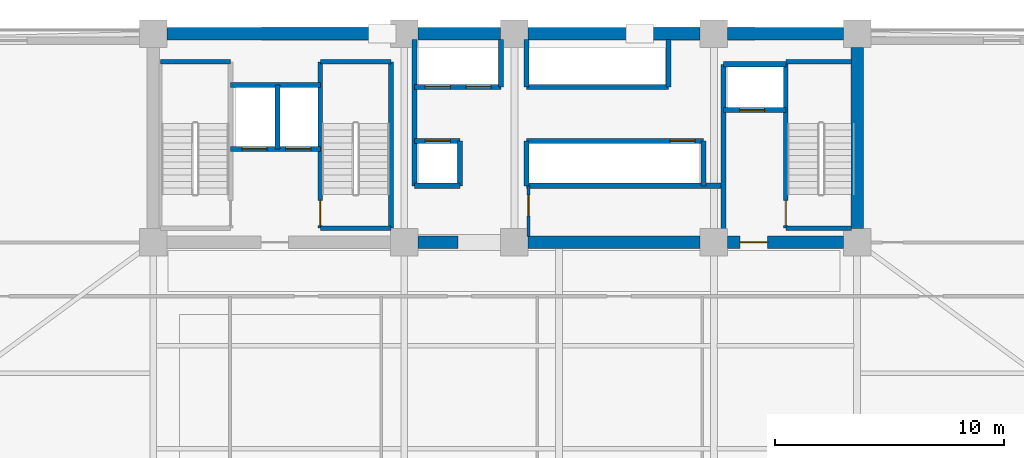
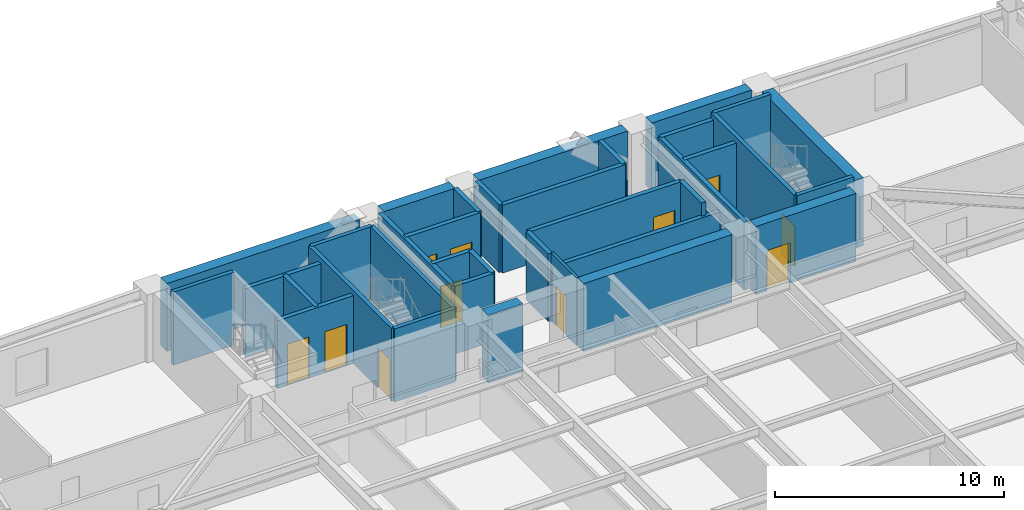
# One storey, part 9 of 16: 36 walls, 11 doors, 11 openings.
"""IFC4 building model written with IfcOpenShell, lengths in metres."""

from ifc_helpers import new_model, si_unit, direction, frame, frame_2d, origin, place, context, subcontext, project, spatial, rectangle, extrude, source, transform, mapped, material, layer, layer_set, type_object, element, fill, save


model = new_model("IFC4")

# Units and contexts
model_context = context("Model", 3, precision=1e-05, world=origin(), true_north=direction((0.0, 1.0)))
body_context = subcontext(model_context, "Body", "Model", "MODEL_VIEW")
ifc_project = project(units=[si_unit("LENGTHUNIT", "METRE"), si_unit("AREAUNIT", "SQUARE_METRE"), si_unit("VOLUMEUNIT", "CUBIC_METRE"), si_unit("PLANEANGLEUNIT", "RADIAN"), si_unit("MASSUNIT", "GRAM", prefix="KILO")], contexts=[model_context])

# Site, building, storey
site_placement = place(None, origin())
site = spatial("IfcSite", under=ifc_project, at=site_placement, CompositionType="ELEMENT")
building_placement = place(site_placement, origin())
building = spatial("IfcBuilding", under=site, at=building_placement, Name="Giltprow Tower", CompositionType="ELEMENT")
storey_placement = place(building_placement, frame((0.0, 0.0, 91.300048828125)))
storey = spatial("IfcBuildingStorey", under=building, at=storey_placement, Name="L22", CompositionType="ELEMENT", Elevation=91.300048828125)

# Wall, openings, doors
ifc_material_1 = material(Name="Concrete C40", Category="concrete")
ifc_layer_1 = layer(ifc_material_1, 0.219970703125, Name="Concrete C40")
ifc_layer_set_1 = layer_set([ifc_layer_1], Name="Concrete C40")
wall_type_1 = type_object("IfcWallType", Name="IW-SHAFT-220", PredefinedType="SOLIDWALL", material=ifc_layer_set_1)
wall_1_placement = place(storey_placement, frame((23.219970703125, 41.52001953125, 0.0), z_axis=(0.0, 0.0, 1.0), x_axis=(1.0, 0.0, 0.0)))
wall_1 = element("IfcWall", 1, at=wall_1_placement, inside=storey, type_object=wall_type_1, Name="L22 FFL1 and Service Lift Front Wall", PredefinedType="SOLIDWALL", context=body_context, shape_type="SweptSolid", body=[
    extrude(rectangle(XDim=3.919921875, YDim=0.219970703125, at=frame_2d((1.9599609375, 0.0))), origin(), (0.0, 0.0, 1.0), 3.619873046875),
])
opening_1_placement = place(wall_1_placement, frame((0.5, 0.0, 0.0)))
opening_1 = element("IfcOpeningElement", 2, at=opening_1_placement, cuts=wall_1, Name="Opening LD-11", PredefinedType="OPENING", context=body_context, shape_type="SweptSolid", body=[
    extrude(rectangle(XDim=1.10009765625, YDim=2.199951171875, at=frame_2d((0.550048828125, 1.10009765625))), frame((0.0, 0.119873046875, 0.0), z_axis=(0.0, -1.0, 0.0), x_axis=(1.0, 0.0, 0.0)), (0.0, 0.0, 1.0), 0.239990234375),
])
opening_2_placement = place(wall_1_placement, frame((2.39990234375, 0.0, 0.0)))
opening_2 = element("IfcOpeningElement", 3, at=opening_2_placement, cuts=wall_1, Name="Opening LD-11", PredefinedType="OPENING", context=body_context, shape_type="SweptSolid", body=[
    extrude(rectangle(XDim=1.10009765625, YDim=2.199951171875, at=frame_2d((0.550048828125, 1.10009765625))), frame((0.0, 0.119873046875, 0.0), z_axis=(0.0, -1.0, 0.0), x_axis=(1.0, 0.0, 0.0)), (0.0, 0.0, 1.0), 0.239990234375),
])
ifc_material_2 = material(Name="Stainless steel", Category="steel")
door_type_1 = type_object("IfcDoorType", Name="DR-LIFT-LD1100", OperationType="SLIDING_TO_LEFT", PredefinedType="DOOR", material=ifc_material_2)
shared_shape_1 = source(origin(), body_context, "Body", "SweptSolid", [
    extrude(rectangle(XDim=1.10009765625, YDim=2.199951171875, at=frame_2d((0.550048828125, 1.10009765625))), frame((0.0, 0.02490234375, 0.0), z_axis=(0.0, -1.0, 0.0), x_axis=(1.0, 0.0, 0.0)), (0.0, 0.0, 1.0), 0.050048828125),
])
door_1_placement = place(opening_1_placement, origin())
door_1 = element("IfcDoor", 4, at=door_1_placement, inside=storey, type_object=door_type_1, Name="L22 FFL1 Landing Door", OperationType="SLIDING_TO_LEFT", OverallHeight=2.199951171875, OverallWidth=1.10009765625, PredefinedType="DOOR", context=body_context, shape_type="MappedRepresentation", body=[
    mapped(shared_shape_1, transform((0.0, 0.0, 0.0), x_axis=(1.0, 0.0, 0.0), y_axis=(0.0, 1.0, 0.0), z_axis=(0.0, 0.0, 1.0), scale=1.0)),
])
fill(opening_1, door_1)
door_2_placement = place(opening_2_placement, origin())
door_2 = element("IfcDoor", 5, at=door_2_placement, inside=storey, type_object=door_type_1, Name="L22 SVL1 Landing Door", OperationType="SLIDING_TO_LEFT", OverallHeight=2.199951171875, OverallWidth=1.10009765625, PredefinedType="DOOR", context=body_context, shape_type="MappedRepresentation", body=[
    mapped(shared_shape_1, transform((0.0, 0.0, 0.0), x_axis=(1.0, 0.0, 0.0), y_axis=(0.0, 1.0, 0.0), z_axis=(0.0, 0.0, 1.0), scale=1.0)),
])
fill(opening_2, door_2)

# Walls
wall_2_placement = place(storey_placement, frame((25.260009765625, 41.52001953125, 0.0), z_axis=(0.0, 0.0, 1.0), x_axis=(0.0, 1.0, 0.0)))
element("IfcWall", 6, at=wall_2_placement, inside=storey, type_object=wall_type_1, Name="L22 FFL1-SVL1 Shaft Divider", PredefinedType="SOLIDWALL", context=body_context, shape_type="SweptSolid", body=[
    extrude(rectangle(XDim=2.800048828125, YDim=0.219970703125, at=frame_2d((1.39990234375, 0.0))), origin(), (0.0, 0.0, 1.0), 3.619873046875),
])
wall_3_placement = place(storey_placement, frame((23.219970703125, 44.320068359375, 0.0), z_axis=(0.0, 0.0, 1.0), x_axis=(1.0, 0.0, 0.0)))
element("IfcWall", 7, at=wall_3_placement, inside=storey, type_object=wall_type_1, Name="L22 FFL1-SVL1 Back Shaft Wall", PredefinedType="SOLIDWALL", context=body_context, shape_type="SweptSolid", body=[
    extrude(rectangle(XDim=3.919921875, YDim=0.219970703125, at=frame_2d((1.9599609375, 0.0))), origin(), (0.0, 0.0, 1.0), 3.619873046875),
])

# Wall, opening, door
wall_4_placement = place(storey_placement, frame((44.719970703125, 43.219970703125, 0.0), z_axis=(0.0, 0.0, 1.0), x_axis=(1.0, 0.0, 0.0)))
wall_4 = element("IfcWall", 8, at=wall_4_placement, inside=storey, type_object=wall_type_1, Name="L22 FFL2 Front Shaft Wall", PredefinedType="SOLIDWALL", context=body_context, shape_type="SweptSolid", body=[
    extrude(rectangle(XDim=2.719970703125, YDim=0.219970703125, at=frame_2d((1.35986328125, 0.0))), origin(), (0.0, 0.0, 1.0), 3.619873046875),
])
opening_3_placement = place(wall_4_placement, frame((0.699951171875, 0.0, 0.0)))
opening_3 = element("IfcOpeningElement", 9, at=opening_3_placement, cuts=wall_4, Name="Opening LD-11", PredefinedType="OPENING", context=body_context, shape_type="SweptSolid", body=[
    extrude(rectangle(XDim=1.10009765625, YDim=2.199951171875, at=frame_2d((0.550048828125, 1.10009765625))), frame((0.0, 0.119873046875, 0.0), z_axis=(0.0, -1.0, 0.0), x_axis=(1.0, 0.0, 0.0)), (0.0, 0.0, 1.0), 0.239990234375),
])
door_3_placement = place(opening_3_placement, origin())
door_3 = element("IfcDoor", 10, at=door_3_placement, inside=storey, type_object=door_type_1, Name="L22 FFL2 Landing Door", OperationType="SLIDING_TO_LEFT", OverallHeight=2.199951171875, OverallWidth=1.10009765625, PredefinedType="DOOR", context=body_context, shape_type="MappedRepresentation", body=[
    mapped(shared_shape_1, transform((0.0, 0.0, 0.0), x_axis=(1.0, 0.0, 0.0), y_axis=(0.0, 1.0, 0.0), z_axis=(0.0, 0.0, 1.0), scale=1.0)),
])
fill(opening_3, door_3)

# Walls
wall_5_placement = place(storey_placement, frame((44.719970703125, 45.219970703125, 0.0), z_axis=(0.0, 0.0, 1.0), x_axis=(1.0, 0.0, 0.0)))
element("IfcWall", 11, at=wall_5_placement, inside=storey, type_object=wall_type_1, Name="L22 FFL2 Back Shaft Wall", PredefinedType="SOLIDWALL", context=body_context, shape_type="SweptSolid", body=[
    extrude(rectangle(XDim=2.719970703125, YDim=0.219970703125, at=frame_2d((1.35986328125, 0.0))), origin(), (0.0, 0.0, 1.0), 3.619873046875),
])
wall_6_placement = place(storey_placement, frame((44.719970703125, 37.705078125, 0.0), z_axis=(0.0, 0.0, 1.0), x_axis=(0.0, 1.0, 0.0)))
element("IfcWall", 12, at=wall_6_placement, inside=storey, type_object=wall_type_1, Name="L22 East Firefighting Lobby West Wall", PredefinedType="SOLIDWALL", context=body_context, shape_type="SweptSolid", body=[
    extrude(rectangle(XDim=7.514892578125, YDim=0.219970703125, at=frame_2d((3.75732421875, 0.0))), origin(), (0.0, 0.0, 1.0), 3.619873046875),
])

# Wall, openings, doors
wall_7_placement = place(storey_placement, frame((31.25, 44.219970703125, 0.0), z_axis=(0.0, 0.0, 1.0), x_axis=(1.0, 0.0, 0.0)))
wall_7 = element("IfcWall", 13, at=wall_7_placement, inside=storey, type_object=wall_type_1, Name="L22 North West Lift Shaft Front Wall", PredefinedType="SOLIDWALL", context=body_context, shape_type="SweptSolid", body=[
    extrude(rectangle(XDim=3.77001953125, YDim=0.219970703125, at=frame_2d((1.885009765625, 0.0))), origin(), (0.0, 0.0, 1.0), 3.619873046875),
])
opening_4_placement = place(wall_7_placement, frame((0.4599609375, 0.0, 0.0)))
opening_4 = element("IfcOpeningElement", 14, at=opening_4_placement, cuts=wall_7, Name="Opening LD-11", PredefinedType="OPENING", context=body_context, shape_type="SweptSolid", body=[
    extrude(rectangle(XDim=1.10009765625, YDim=2.199951171875, at=frame_2d((0.550048828125, 1.10009765625))), frame((0.0, 0.119873046875, 0.0), z_axis=(0.0, -1.0, 0.0), x_axis=(1.0, 0.0, 0.0)), (0.0, 0.0, 1.0), 0.239990234375),
])
opening_5_placement = place(wall_7_placement, frame((2.239990234375, 0.0, 0.0)))
opening_5 = element("IfcOpeningElement", 15, at=opening_5_placement, cuts=wall_7, Name="Opening LD-11", PredefinedType="OPENING", context=body_context, shape_type="SweptSolid", body=[
    extrude(rectangle(XDim=1.10009765625, YDim=2.199951171875, at=frame_2d((0.550048828125, 1.10009765625))), frame((0.0, 0.119873046875, 0.0), z_axis=(0.0, -1.0, 0.0), x_axis=(1.0, 0.0, 0.0)), (0.0, 0.0, 1.0), 0.239990234375),
])
door_4_placement = place(opening_4_placement, origin())
door_4 = element("IfcDoor", 16, at=door_4_placement, inside=storey, type_object=door_type_1, Name="L22 PL-L1 Landing Door", OperationType="SLIDING_TO_LEFT", OverallHeight=2.199951171875, OverallWidth=1.10009765625, PredefinedType="DOOR", context=body_context, shape_type="MappedRepresentation", body=[
    mapped(shared_shape_1, transform((0.0, 0.0, 0.0), x_axis=(1.0, 0.0, 0.0), y_axis=(0.0, 1.0, 0.0), z_axis=(0.0, 0.0, 1.0), scale=1.0)),
])
fill(opening_4, door_4)
door_5_placement = place(opening_5_placement, origin())
door_5 = element("IfcDoor", 17, at=door_5_placement, inside=storey, type_object=door_type_1, Name="L22 PL-L2 Landing Door", OperationType="SLIDING_TO_LEFT", OverallHeight=2.199951171875, OverallWidth=1.10009765625, PredefinedType="DOOR", context=body_context, shape_type="MappedRepresentation", body=[
    mapped(shared_shape_1, transform((0.0, 0.0, 0.0), x_axis=(1.0, 0.0, 0.0), y_axis=(0.0, 1.0, 0.0), z_axis=(0.0, 0.0, 1.0), scale=1.0)),
])
fill(opening_5, door_5)

# Walls
wall_8_placement = place(storey_placement, frame((36.1201171875, 44.219970703125, 0.0), z_axis=(0.0, 0.0, 1.0), x_axis=(1.0, 0.0, 0.0)))
element("IfcWall", 18, at=wall_8_placement, inside=storey, type_object=wall_type_1, Name="L22 North East Lift Shaft Front Wall", PredefinedType="SOLIDWALL", context=body_context, shape_type="SweptSolid", body=[
    extrude(rectangle(XDim=6.199951171875, YDim=0.219970703125, at=frame_2d((3.10009765625, 0.0))), origin(), (0.0, 0.0, 1.0), 3.619873046875),
])
for number, where, z_axis, x_axis, name in (
    (19, (35.02001953125, 44.219970703125, 0.0), (0.0, 0.0, 1.0), (0.0, 1.0, 0.0), "L22 North West Lift Shaft East Closure"),
    (20, (36.1201171875, 44.219970703125, 0.0), (0.0, 0.0, 1.0), (0.0, 1.0, 0.0), "L22 North East Lift Shaft West Closure"),
    (21, (42.320068359375, 44.219970703125, 0.0), (0.0, 0.0, 1.0), (0.0, 1.0, 0.0), "L22 North East Lift Shaft East Closure"),
):
    element("IfcWall", number, at=place(storey_placement, frame(where, z_axis=z_axis, x_axis=x_axis)), inside=storey, type_object=wall_type_1, Name=name, PredefinedType="SOLIDWALL", context=body_context, shape_type="SweptSolid", body=[
        extrude(rectangle(XDim=2.074951171875, YDim=0.219970703125, at=frame_2d((1.03759765625, 0.0))), origin(), (0.0, 0.0, 1.0), 3.619873046875),
    ])

# Wall, opening, door
wall_9_placement = place(storey_placement, frame((31.25, 41.8798828125, 0.0), z_axis=(0.0, 0.0, 1.0), x_axis=(1.0, 0.0, 0.0)))
wall_9 = element("IfcWall", 22, at=wall_9_placement, inside=storey, type_object=wall_type_1, Name="L22 South West Lift Shaft Front Wall", PredefinedType="SOLIDWALL", context=body_context, shape_type="SweptSolid", body=[
    extrude(rectangle(XDim=1.969970703125, YDim=0.219970703125, at=frame_2d((0.98486328125, 0.0))), origin(), (0.0, 0.0, 1.0), 3.619873046875),
])
opening_6_placement = place(wall_9_placement, frame((0.4599609375, 0.0, 0.0)))
opening_6 = element("IfcOpeningElement", 23, at=opening_6_placement, cuts=wall_9, Name="Opening LD-11", PredefinedType="OPENING", context=body_context, shape_type="SweptSolid", body=[
    extrude(rectangle(XDim=1.10009765625, YDim=2.199951171875, at=frame_2d((0.550048828125, 1.10009765625))), frame((0.0, 0.119873046875, 0.0), z_axis=(0.0, -1.0, 0.0), x_axis=(1.0, 0.0, 0.0)), (0.0, 0.0, 1.0), 0.239990234375),
])
door_6_placement = place(opening_6_placement, origin())
door_6 = element("IfcDoor", 24, at=door_6_placement, inside=storey, type_object=door_type_1, Name="L22 PL-L3 Landing Door", OperationType="SLIDING_TO_LEFT", OverallHeight=2.199951171875, OverallWidth=1.10009765625, PredefinedType="DOOR", context=body_context, shape_type="MappedRepresentation", body=[
    mapped(shared_shape_1, transform((0.0, 0.0, 0.0), x_axis=(1.0, 0.0, 0.0), y_axis=(0.0, 1.0, 0.0), z_axis=(0.0, 0.0, 1.0), scale=1.0)),
])
fill(opening_6, door_6)

wall_10_placement = place(storey_placement, frame((36.1201171875, 41.8798828125, 0.0), z_axis=(0.0, 0.0, 1.0), x_axis=(1.0, 0.0, 0.0)))
wall_10 = element("IfcWall", 25, at=wall_10_placement, inside=storey, type_object=wall_type_1, Name="L22 South East Lift Shaft Front Wall", PredefinedType="SOLIDWALL", context=body_context, shape_type="SweptSolid", body=[
    extrude(rectangle(XDim=7.72998046875, YDim=0.219970703125, at=frame_2d((3.864990234375, 0.0))), origin(), (0.0, 0.0, 1.0), 3.619873046875),
])
opening_7_placement = place(wall_10_placement, frame((6.260009765625, 0.0, 0.0)))
opening_7 = element("IfcOpeningElement", 26, at=opening_7_placement, cuts=wall_10, Name="Opening LD-11", PredefinedType="OPENING", context=body_context, shape_type="SweptSolid", body=[
    extrude(rectangle(XDim=1.10009765625, YDim=2.199951171875, at=frame_2d((0.550048828125, 1.10009765625))), frame((0.0, 0.119873046875, 0.0), z_axis=(0.0, -1.0, 0.0), x_axis=(1.0, 0.0, 0.0)), (0.0, 0.0, 1.0), 0.239990234375),
])
door_7_placement = place(opening_7_placement, origin())
door_7 = element("IfcDoor", 27, at=door_7_placement, inside=storey, type_object=door_type_1, Name="L22 PL-L4 Landing Door", OperationType="SLIDING_TO_LEFT", OverallHeight=2.199951171875, OverallWidth=1.10009765625, PredefinedType="DOOR", context=body_context, shape_type="MappedRepresentation", body=[
    mapped(shared_shape_1, transform((0.0, 0.0, 0.0), x_axis=(1.0, 0.0, 0.0), y_axis=(0.0, 1.0, 0.0), z_axis=(0.0, 0.0, 1.0), scale=1.0)),
])
fill(opening_7, door_7)

# Walls
wall_11_placement = place(storey_placement, frame((31.25, 39.919921875, 0.0), z_axis=(0.0, 0.0, 1.0), x_axis=(1.0, 0.0, 0.0)))
element("IfcWall", 28, at=wall_11_placement, inside=storey, type_object=wall_type_1, Name="L22 Low-Rise South Lift Back Wall", PredefinedType="SOLIDWALL", context=body_context, shape_type="SweptSolid", body=[
    extrude(rectangle(XDim=1.969970703125, YDim=0.219970703125, at=frame_2d((0.98486328125, 0.0))), origin(), (0.0, 0.0, 1.0), 3.619873046875),
])
wall_12_placement = place(storey_placement, frame((33.219970703125, 39.919921875, 0.0), z_axis=(0.0, 0.0, 1.0), x_axis=(0.0, 1.0, 0.0)))
element("IfcWall", 29, at=wall_12_placement, inside=storey, type_object=wall_type_1, Name="L22 Low-Rise South Lift East Closure", PredefinedType="SOLIDWALL", context=body_context, shape_type="SweptSolid", body=[
    extrude(rectangle(XDim=1.9599609375, YDim=0.219970703125, at=frame_2d((0.97998046875, 0.0))), origin(), (0.0, 0.0, 1.0), 3.619873046875),
])
wall_13_placement = place(storey_placement, frame((36.1201171875, 39.919921875, 0.0), z_axis=(0.0, 0.0, 1.0), x_axis=(1.0, 0.0, 0.0)))
element("IfcWall", 30, at=wall_13_placement, inside=storey, type_object=wall_type_1, Name="L22 Express South Shaft Back Wall", PredefinedType="SOLIDWALL", context=body_context, shape_type="SweptSolid", body=[
    extrude(rectangle(XDim=8.599853515625, YDim=0.219970703125, at=frame_2d((4.2998046875, 0.0))), origin(), (0.0, 0.0, 1.0), 2.905029296875),
])
wall_14_placement = place(storey_placement, frame((36.1201171875, 39.919921875, 0.0), z_axis=(0.0, 0.0, 1.0), x_axis=(0.0, 1.0, 0.0)))
element("IfcWall", 31, at=wall_14_placement, inside=storey, type_object=wall_type_1, Name="L22 Express South Shaft West Closure", PredefinedType="SOLIDWALL", context=body_context, shape_type="SweptSolid", body=[
    extrude(rectangle(XDim=1.9599609375, YDim=0.219970703125, at=frame_2d((0.97998046875, 0.0))), origin(), (0.0, 0.0, 1.0), 3.619873046875),
])
wall_15_placement = place(storey_placement, frame((31.25, 39.919921875, 0.0), z_axis=(0.0, 0.0, 1.0), x_axis=(0.0, 1.0, 0.0)))
element("IfcWall", 32, at=wall_15_placement, inside=storey, type_object=wall_type_1, Name="L22 Lift Bank West Closure", PredefinedType="SOLIDWALL", context=body_context, shape_type="SweptSolid", body=[
    extrude(rectangle(XDim=6.375, YDim=0.219970703125, at=frame_2d((3.1875, 0.0))), origin(), (0.0, 0.0, 1.0), 3.619873046875),
])
wall_16_placement = place(storey_placement, frame((43.85009765625, 39.919921875, 0.0), z_axis=(0.0, 0.0, 1.0), x_axis=(0.0, 1.0, 0.0)))
element("IfcWall", 33, at=wall_16_placement, inside=storey, type_object=wall_type_1, Name="L22 Lift Bank South-East Closure", PredefinedType="SOLIDWALL", context=body_context, shape_type="SweptSolid", body=[
    extrude(rectangle(XDim=1.9599609375, YDim=0.219970703125, at=frame_2d((0.97998046875, 0.0))), origin(), (0.0, 0.0, 1.0), 3.619873046875),
])
ifc_layer_2 = layer(ifc_material_1, 0.199951171875, Name="Concrete C40")
ifc_layer_set_2 = layer_set([ifc_layer_2], Name="Concrete C40")
wall_type_2 = type_object("IfcWallType", Name="IW-STAIR-200", PredefinedType="SOLIDWALL", material=ifc_layer_set_2)
wall_17_placement = place(storey_placement, frame((20.169921875, 45.320068359375, 0.0), z_axis=(0.0, 0.0, 1.0), x_axis=(1.0, 0.0, 0.0)))
element("IfcWall", 34, at=wall_17_placement, inside=storey, type_object=wall_type_2, Name="L22 Stair ST-1 North Bearing Wall", PredefinedType="SOLIDWALL", context=body_context, shape_type="SweptSolid", body=[
    extrude(rectangle(XDim=3.050048828125, YDim=0.199951171875, at=frame_2d((1.52490234375, 0.0))), origin(), (0.0, 0.0, 1.0), 3.89990234375),
])

# Wall, opening, door
wall_18_placement = place(storey_placement, frame((27.139892578125, 38.070068359375, 0.0), z_axis=(0.0, 0.0, 1.0), x_axis=(0.0, 1.0, 0.0)))
wall_18 = element("IfcWall", 35, at=wall_18_placement, inside=storey, type_object=wall_type_2, Name="L22 Stair ST-2 West Bearing Wall", PredefinedType="SOLIDWALL", context=body_context, shape_type="SweptSolid", body=[
    extrude(rectangle(XDim=7.25, YDim=0.199951171875, at=frame_2d((3.625, 0.0))), origin(), (0.0, 0.0, 1.0), 3.89990234375),
])
opening_8_placement = place(wall_18_placement, frame((0.110107421875, 0.0, 0.0)))
opening_8 = element("IfcOpeningElement", 36, at=opening_8_placement, cuts=wall_18, Name="Opening ID33", PredefinedType="OPENING", context=body_context, shape_type="SweptSolid", body=[
    extrude(rectangle(XDim=1.10009765625, YDim=2.14990234375, at=frame_2d((0.550048828125, 1.074951171875))), frame((0.0, 0.10986328125, 0.0), z_axis=(0.0, -1.0, 0.0), x_axis=(1.0, 0.0, 0.0)), (0.0, 0.0, 1.0), 0.219970703125),
])
ifc_material_3 = material(Name="Steel fire leaf", Category="steel")
door_type_2 = type_object("IfcDoorType", Name="DR-STAIR-1100", OperationType="SINGLE_SWING_LEFT", PredefinedType="DOOR", material=ifc_material_3)
shared_shape_2 = source(origin(), body_context, "Body", "SweptSolid", [
    extrude(rectangle(XDim=1.10009765625, YDim=2.14990234375, at=frame_2d((0.550048828125, 1.074951171875))), frame((0.0, 0.02490234375, 0.0), z_axis=(0.0, -1.0, 0.0), x_axis=(1.0, 0.0, 0.0)), (0.0, 0.0, 1.0), 0.050048828125),
])
door_8_placement = place(opening_8_placement, origin())
door_8 = element("IfcDoor", 37, at=door_8_placement, inside=storey, type_object=door_type_2, Name="L22 Stair ST-2 Fire Door", OperationType="SINGLE_SWING_LEFT", OverallHeight=2.14990234375, OverallWidth=1.10009765625, PredefinedType="DOOR", context=body_context, shape_type="MappedRepresentation", body=[
    mapped(shared_shape_2, transform((0.0, 0.0, 0.0), x_axis=(1.0, 0.0, 0.0), y_axis=(0.0, 1.0, 0.0), z_axis=(0.0, 0.0, 1.0), scale=1.0)),
])
fill(opening_8, door_8)

# Walls
wall_19_placement = place(storey_placement, frame((30.219970703125, 38.070068359375, 0.0), z_axis=(0.0, 0.0, 1.0), x_axis=(0.0, 1.0, 0.0)))
element("IfcWall", 38, at=wall_19_placement, inside=storey, type_object=wall_type_2, Name="L22 Stair ST-2 East Bearing Wall", PredefinedType="SOLIDWALL", context=body_context, shape_type="SweptSolid", body=[
    extrude(rectangle(XDim=7.25, YDim=0.199951171875, at=frame_2d((3.625, 0.0))), origin(), (0.0, 0.0, 1.0), 3.89990234375),
])
for number, where, z_axis, x_axis, name in (
    (39, (27.139892578125, 45.320068359375, 0.0), (0.0, 0.0, 1.0), (1.0, 0.0, 0.0), "L22 Stair ST-2 North Bearing Wall"),
    (40, (27.139892578125, 38.070068359375, 0.0), (0.0, 0.0, 1.0), (1.0, 0.0, 0.0), "L22 Stair ST-2 South Bearing Wall"),
):
    element("IfcWall", number, at=place(storey_placement, frame(where, z_axis=z_axis, x_axis=x_axis)), inside=storey, type_object=wall_type_2, Name=name, PredefinedType="SOLIDWALL", context=body_context, shape_type="SweptSolid", body=[
        extrude(rectangle(XDim=3.080078125, YDim=0.199951171875, at=frame_2d((1.5400390625, 0.0))), origin(), (0.0, 0.0, 1.0), 3.89990234375),
    ])

# Wall, opening, door
wall_20_placement = place(storey_placement, frame((47.43994140625, 38.070068359375, 0.0), z_axis=(0.0, 0.0, 1.0), x_axis=(0.0, 1.0, 0.0)))
wall_20 = element("IfcWall", 41, at=wall_20_placement, inside=storey, type_object=wall_type_2, Name="L22 Stair ST-3 West Bearing Wall", PredefinedType="SOLIDWALL", context=body_context, shape_type="SweptSolid", body=[
    extrude(rectangle(XDim=7.25, YDim=0.199951171875, at=frame_2d((3.625, 0.0))), origin(), (0.0, 0.0, 1.0), 3.89990234375),
])
opening_9_placement = place(wall_20_placement, frame((0.110107421875, 0.0, 0.0)))
opening_9 = element("IfcOpeningElement", 42, at=opening_9_placement, cuts=wall_20, Name="Opening ID33", PredefinedType="OPENING", context=body_context, shape_type="SweptSolid", body=[
    extrude(rectangle(XDim=1.10009765625, YDim=2.14990234375, at=frame_2d((0.550048828125, 1.074951171875))), frame((0.0, 0.10986328125, 0.0), z_axis=(0.0, -1.0, 0.0), x_axis=(1.0, 0.0, 0.0)), (0.0, 0.0, 1.0), 0.219970703125),
])
door_9_placement = place(opening_9_placement, origin())
door_9 = element("IfcDoor", 43, at=door_9_placement, inside=storey, type_object=door_type_2, Name="L22 Stair ST-3 Fire Door", OperationType="SINGLE_SWING_RIGHT", OverallHeight=2.14990234375, OverallWidth=1.10009765625, PredefinedType="DOOR", context=body_context, shape_type="MappedRepresentation", body=[
    mapped(shared_shape_2, transform((0.0, 0.0, 0.0), x_axis=(1.0, 0.0, 0.0), y_axis=(0.0, 1.0, 0.0), z_axis=(0.0, 0.0, 1.0), scale=1.0)),
])
fill(opening_9, door_9)

# Walls
for number, where, z_axis, x_axis, name in (
    (44, (47.43994140625, 45.320068359375, 0.0), (0.0, 0.0, 1.0), (1.0, 0.0, 0.0), "L22 Stair ST-3 North Bearing Wall"),
    (45, (47.43994140625, 38.070068359375, 0.0), (0.0, 0.0, 1.0), (1.0, 0.0, 0.0), "L22 Stair ST-3 South Bearing Wall"),
):
    element("IfcWall", number, at=place(storey_placement, frame(where, z_axis=z_axis, x_axis=x_axis)), inside=storey, type_object=wall_type_2, Name=name, PredefinedType="SOLIDWALL", context=body_context, shape_type="SweptSolid", body=[
        extrude(rectangle(XDim=2.85498046875, YDim=0.199951171875, at=frame_2d((1.427490234375, 0.0))), origin(), (0.0, 0.0, 1.0), 3.89990234375),
    ])

# Wall, opening, door
ifc_material_4 = material(Name="Concrete C30", Category="concrete")
ifc_layer_3 = layer(ifc_material_4, 0.1298828125, Name="Concrete C30")
ifc_layer_set_3 = layer_set([ifc_layer_3], Name="Concrete C30")
wall_type_3 = type_object("IfcWallType", Name="IW-WET-130", PredefinedType="PARTITIONING", material=ifc_layer_set_3)
wall_21_placement = place(storey_placement, frame((36.219970703125, 37.705078125, 0.0), z_axis=(0.0, 0.0, 1.0), x_axis=(0.0, 1.0, 0.0)))
wall_21 = element("IfcWall", 46, at=wall_21_placement, inside=storey, type_object=wall_type_3, Name="L22 Core Suite West Wall", PredefinedType="PARTITIONING", context=body_context, shape_type="SweptSolid", body=[
    extrude(rectangle(XDim=2.21484375, YDim=0.1298828125, at=frame_2d((1.107421875, 0.0))), origin(), (0.0, 0.0, 1.0), 3.619873046875),
])
opening_10_placement = place(wall_21_placement, frame((0.905029296875, 0.0, 0.0)))
opening_10 = element("IfcOpeningElement", 47, at=opening_10_placement, cuts=wall_21, Name="Opening ID35", PredefinedType="OPENING", context=body_context, shape_type="SweptSolid", body=[
    extrude(rectangle(XDim=0.89990234375, YDim=2.10009765625, at=frame_2d((0.449951171875, 1.050048828125))), frame((0.0, 0.074951171875, 0.0), z_axis=(0.0, -1.0, 0.0), x_axis=(1.0, 0.0, 0.0)), (0.0, 0.0, 1.0), 0.14990234375),
])
door_type_3 = type_object("IfcDoorType", Name="DR-SHAFT-900", OperationType="SINGLE_SWING_LEFT", PredefinedType="DOOR", material=ifc_material_3)
shared_shape_3 = source(origin(), body_context, "Body", "SweptSolid", [
    extrude(rectangle(XDim=0.89990234375, YDim=2.10009765625, at=frame_2d((0.449951171875, 1.050048828125))), frame((0.0, 0.02490234375, 0.0), z_axis=(0.0, -1.0, 0.0), x_axis=(1.0, 0.0, 0.0)), (0.0, 0.0, 1.0), 0.050048828125),
])
door_10_placement = place(opening_10_placement, origin())
door_10 = element("IfcDoor", 48, at=door_10_placement, inside=storey, type_object=door_type_3, Name="L22 Core Staff Washroom Door", OperationType="SINGLE_SWING_RIGHT", OverallHeight=2.10009765625, OverallWidth=0.89990234375, PredefinedType="DOOR", context=body_context, shape_type="MappedRepresentation", body=[
    mapped(shared_shape_3, transform((0.0, 0.0, 0.0), x_axis=(1.0, 0.0, 0.0), y_axis=(0.0, 1.0, 0.0), z_axis=(0.0, 0.0, 1.0), scale=1.0)),
])
fill(opening_10, door_10)

# Walls
ifc_material_5 = material(Name="Concrete C60", Category="concrete")
ifc_layer_4 = layer(ifc_material_5, 0.550048828125, Name="Concrete C60")
ifc_layer_set_4 = layer_set([ifc_layer_4], Name="Concrete C60")
wall_type_4 = type_object("IfcWallType", Name="SW-EXT-550-C60", PredefinedType="SHEAR", material=ifc_layer_set_4)
wall_22_placement = place(storey_placement, frame((20.449951171875, 46.550048828125, 0.0), z_axis=(0.0, 0.0, 1.0), x_axis=(1.0, 0.0, 0.0)))
element("IfcWall", 49, at=wall_22_placement, inside=storey, type_object=wall_type_4, Name="L22 North Rear Core Shear Wall 1", PredefinedType="SHEAR", context=body_context, shape_type="SweptSolid", body=[
    extrude(rectangle(XDim=9.75, YDim=0.550048828125, at=frame_2d((4.875, 0.0))), origin(), (0.0, 0.0, 1.0), 3.619873046875),
])
wall_23_placement = place(storey_placement, frame((31.39990234375, 46.550048828125, 0.0), z_axis=(0.0, 0.0, 1.0), x_axis=(1.0, 0.0, 0.0)))
element("IfcWall", 50, at=wall_23_placement, inside=storey, type_object=wall_type_4, Name="L22 North Rear Core Shear Wall 2", PredefinedType="SHEAR", context=body_context, shape_type="SweptSolid", body=[
    extrude(rectangle(XDim=3.60009765625, YDim=0.550048828125, at=frame_2d((1.800048828125, 0.0))), origin(), (0.0, 0.0, 1.0), 3.619873046875),
])
wall_24_placement = place(storey_placement, frame((36.199951171875, 46.550048828125, 0.0), z_axis=(0.0, 0.0, 1.0), x_axis=(1.0, 0.0, 0.0)))
element("IfcWall", 51, at=wall_24_placement, inside=storey, type_object=wall_type_4, Name="L22 North Rear Core Shear Wall 3", PredefinedType="SHEAR", context=body_context, shape_type="SweptSolid", body=[
    extrude(rectangle(XDim=7.5, YDim=0.550048828125, at=frame_2d((3.75, 0.0))), origin(), (0.0, 0.0, 1.0), 3.619873046875),
])
wall_25_placement = place(storey_placement, frame((44.89990234375, 46.550048828125, 0.0), z_axis=(0.0, 0.0, 1.0), x_axis=(1.0, 0.0, 0.0)))
element("IfcWall", 52, at=wall_25_placement, inside=storey, type_object=wall_type_4, Name="L22 North Rear Core Shear Wall 4", PredefinedType="SHEAR", context=body_context, shape_type="SweptSolid", body=[
    extrude(rectangle(XDim=5.050048828125, YDim=0.550048828125, at=frame_2d((2.52490234375, 0.0))), origin(), (0.0, 0.0, 1.0), 3.619873046875),
])
ifc_layer_5 = layer(ifc_material_5, 0.550048828125, Name="Concrete C60")
ifc_layer_set_5 = layer_set([ifc_layer_5], Name="Concrete C60")
wall_type_5 = type_object("IfcWallType", Name="SW-INT-550-C60", PredefinedType="SHEAR", material=ifc_layer_set_5)
wall_26_placement = place(storey_placement, frame((31.39990234375, 37.449951171875, 0.0), z_axis=(0.0, 0.0, 1.0), x_axis=(1.0, 0.0, 0.0)))
element("IfcWall", 53, at=wall_26_placement, inside=storey, type_object=wall_type_5, Name="L22 South Rear Core Shear Wall Mid-West", PredefinedType="SHEAR", context=body_context, shape_type="SweptSolid", body=[
    extrude(rectangle(XDim=1.75, YDim=0.550048828125, at=frame_2d((0.875, 0.0))), origin(), (0.0, 0.0, 1.0), 3.619873046875),
])
wall_27_placement = place(storey_placement, frame((36.199951171875, 37.449951171875, 0.0), z_axis=(0.0, 0.0, 1.0), x_axis=(1.0, 0.0, 0.0)))
element("IfcWall", 54, at=wall_27_placement, inside=storey, type_object=wall_type_5, Name="L22 South Rear Core Shear Wall Mid-East", PredefinedType="SHEAR", context=body_context, shape_type="SweptSolid", body=[
    extrude(rectangle(XDim=7.5, YDim=0.550048828125, at=frame_2d((3.75, 0.0))), origin(), (0.0, 0.0, 1.0), 3.619873046875),
])

# Wall, opening, door
wall_28_placement = place(storey_placement, frame((44.89990234375, 37.449951171875, 0.0), z_axis=(0.0, 0.0, 1.0), x_axis=(1.0, 0.0, 0.0)))
wall_28 = element("IfcWall", 55, at=wall_28_placement, inside=storey, type_object=wall_type_5, Name="L22 South Rear Core Shear Wall East", PredefinedType="SHEAR", context=body_context, shape_type="SweptSolid", body=[
    extrude(rectangle(XDim=5.050048828125, YDim=0.550048828125, at=frame_2d((2.52490234375, 0.0))), origin(), (0.0, 0.0, 1.0), 3.619873046875),
])
opening_11_placement = place(wall_28_placement, frame((0.550048828125, 0.0, 0.0)))
opening_11 = element("IfcOpeningElement", 56, at=opening_11_placement, cuts=wall_28, Name="Opening ID19", PredefinedType="OPENING", context=body_context, shape_type="SweptSolid", body=[
    extrude(rectangle(XDim=1.199951171875, YDim=2.14990234375, at=frame_2d((0.60009765625, 1.074951171875))), frame((0.0, 0.284912109375, 0.0), z_axis=(0.0, -1.0, 0.0), x_axis=(1.0, 0.0, 0.0)), (0.0, 0.0, 1.0), 0.570068359375),
])
door_type_4 = type_object("IfcDoorType", Name="DR-FFLOBBY-1200", OperationType="SINGLE_SWING_RIGHT", PredefinedType="DOOR", material=ifc_material_3)
shared_shape_4 = source(origin(), body_context, "Body", "SweptSolid", [
    extrude(rectangle(XDim=1.199951171875, YDim=2.14990234375, at=frame_2d((0.60009765625, 1.074951171875))), frame((0.0, 0.02490234375, 0.0), z_axis=(0.0, -1.0, 0.0), x_axis=(1.0, 0.0, 0.0)), (0.0, 0.0, 1.0), 0.050048828125),
])
door_11_placement = place(opening_11_placement, origin())
door_11 = element("IfcDoor", 57, at=door_11_placement, inside=storey, type_object=door_type_4, Name="L22 East Firefighting Lobby Entry Door", OperationType="SINGLE_SWING_RIGHT", OverallHeight=2.14990234375, OverallWidth=1.199951171875, PredefinedType="DOOR", context=body_context, shape_type="MappedRepresentation", body=[
    mapped(shared_shape_4, transform((0.0, 0.0, 0.0), x_axis=(1.0, 0.0, 0.0), y_axis=(0.0, 1.0, 0.0), z_axis=(0.0, 0.0, 1.0), scale=1.0)),
])
fill(opening_11, door_11)

# Wall
wall_29_placement = place(storey_placement, frame((50.550048828125, 38.050048828125, 0.0), z_axis=(0.0, 0.0, 1.0), x_axis=(0.0, 1.0, 0.0)))
element("IfcWall", 58, at=wall_29_placement, inside=storey, type_object=wall_type_5, Name="L22 E Rear Core Shear Wall", PredefinedType="SHEAR", context=body_context, shape_type="SweptSolid", body=[
    extrude(rectangle(XDim=7.89990234375, YDim=0.550048828125, at=frame_2d((3.949951171875, 0.0))), origin(), (0.0, 0.0, 1.0), 3.619873046875),
])

save(model, "model.ifc")
